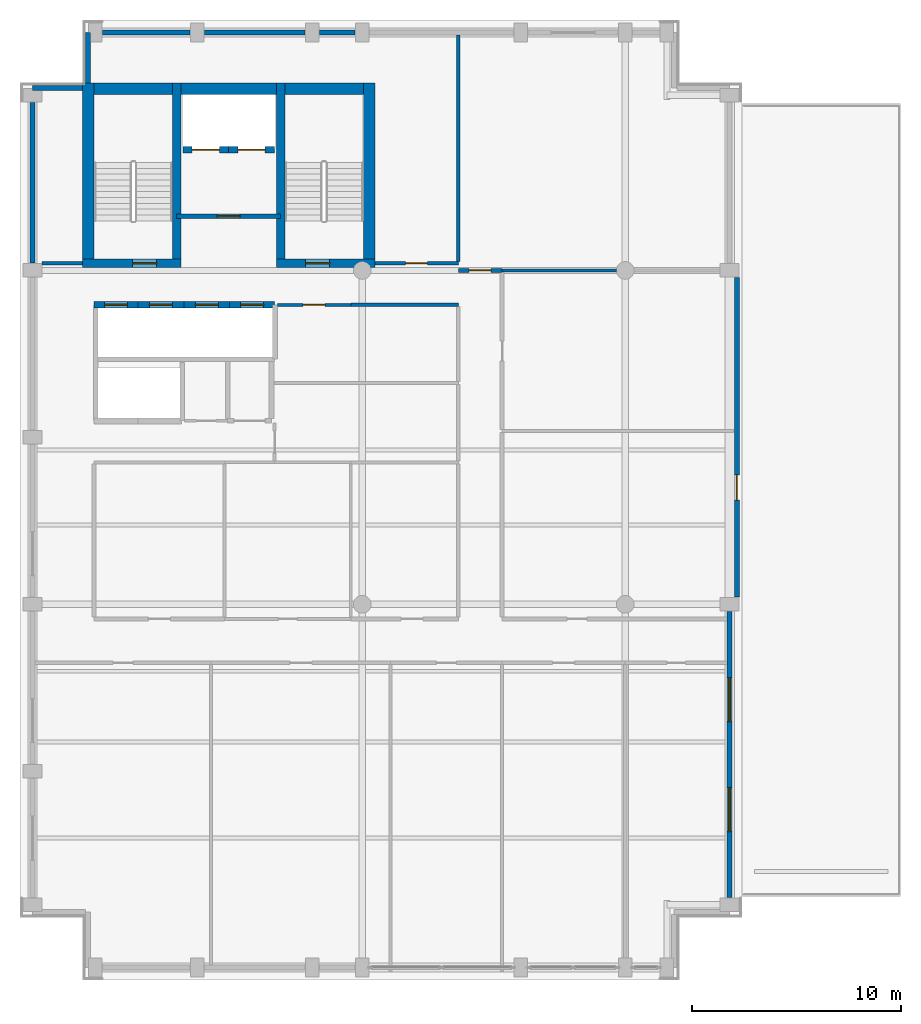
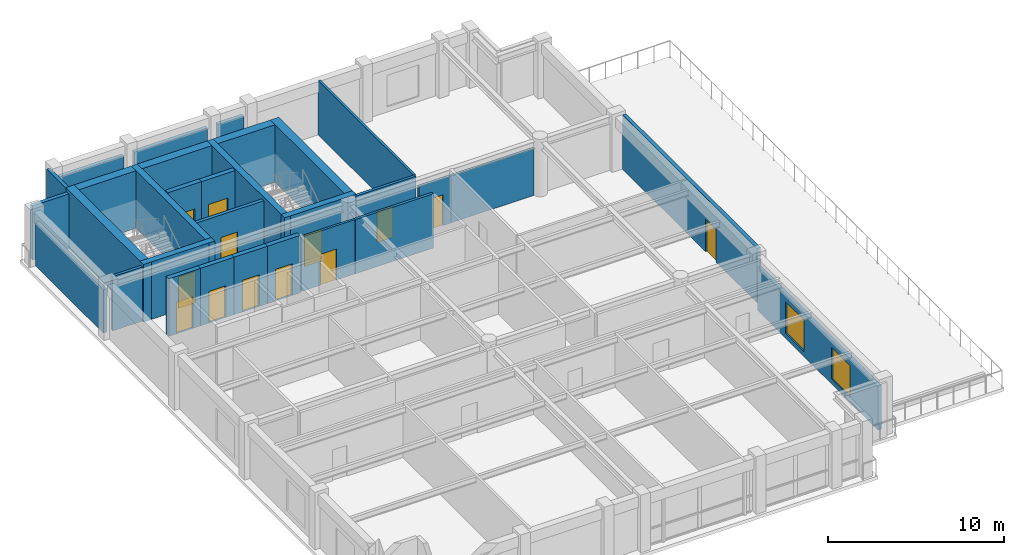
# One storey, part 5 of 9: 29 walls, 13 doors, 2 windows, 15 openings.
"""IFC4 building model written with IfcOpenShell, lengths in metres."""

from ifc_helpers import new_model, si_unit, direction, frame, frame_2d, origin, place, context, subcontext, project, spatial, rectangle, extrude, material, layer, layer_set, type_object, element, fill, save


model = new_model("IFC4")

# Units and contexts
model_context = context("Model", 3, precision=1e-05, world=origin(), true_north=direction((0.0, 1.0)))
body_context = subcontext(model_context, "Body", "Model", "MODEL_VIEW")
ifc_project = project(units=[si_unit("LENGTHUNIT", "METRE"), si_unit("AREAUNIT", "SQUARE_METRE"), si_unit("VOLUMEUNIT", "CUBIC_METRE"), si_unit("PLANEANGLEUNIT", "RADIAN"), si_unit("MASSUNIT", "GRAM", prefix="KILO")], contexts=[model_context])

# Site, building, storey
site_placement = place(None, origin())
site = spatial("IfcSite", under=ifc_project, at=site_placement, CompositionType="ELEMENT")
building_placement = place(site_placement, origin())
building = spatial("IfcBuilding", under=site, at=building_placement, Name="Sulina Concourse Tower", CompositionType="ELEMENT")
storey_placement = place(building_placement, frame((0.0, 0.0, 305.0)))
storey = spatial("IfcBuildingStorey", under=building, at=storey_placement, Name="L74", CompositionType="ELEMENT", Elevation=305.0)

# Wall, opening, door
ifc_material_1 = material(Name="Concrete C50/60", Category="concrete")
ifc_layer_1 = layer(ifc_material_1, 0.300048828125)
ifc_layer_set_1 = layer_set([ifc_layer_1], Name="Concrete C50/60")
wall_type_1 = type_object("IfcWallType", Name="Core Lift Hoistway Wall 300mm", PredefinedType="SOLIDWALL", material=ifc_layer_set_1)
wall_1_placement = place(storey_placement, frame((3.550048828125, 32.35009765625, 0.0), z_axis=(0.0, 0.0, 1.0), x_axis=(1.0, 0.0, 0.0)))
wall_1 = element("IfcWall", 1, at=wall_1_placement, inside=storey, type_object=wall_type_1, Name="L74 hoistway enclosure wall LP-09", PredefinedType="SOLIDWALL", context=body_context, shape_type="SweptSolid", body=[
    extrude(rectangle(XDim=2.099853515625, YDim=0.300048828125, at=frame_2d((1.0498046875, 0.0))), origin(), (0.0, 0.0, 1.0), 4.0),
])
opening_1_placement = place(wall_1_placement, frame((0.5, 0.0, 0.0)))
opening_1 = element("IfcOpeningElement", 2, at=opening_1_placement, cuts=wall_1, Name="Opening LD-01", PredefinedType="OPENING", context=body_context, shape_type="SweptSolid", body=[
    extrude(rectangle(XDim=1.10009765625, YDim=2.199951171875, at=frame_2d((0.550048828125, 1.10009765625))), frame((0.0, 0.159912109375, 0.0), z_axis=(0.0, -1.0, 0.0), x_axis=(1.0, 0.0, 0.0)), (0.0, 0.0, 1.0), 0.320068359375),
])
ifc_material_2 = material(Name="Stainless steel lift landing door", Category="steel")
ifc_layer_2 = layer(ifc_material_2, 0.050048828125)
ifc_layer_set_2 = layer_set([ifc_layer_2], Name="Stainless steel lift landing door")
door_type_1 = type_object("IfcDoorType", Name="Passenger Lift Sliding Landing Door 1100x2200", OperationType="SLIDING_TO_LEFT", PredefinedType="DOOR", material=ifc_layer_set_2)
door_1_placement = place(opening_1_placement, origin())
door_1 = element("IfcDoor", 3, at=door_1_placement, inside=storey, type_object=door_type_1, Name="L74 lift landing sliding door LP-09", OperationType="SLIDING_TO_LEFT", OverallHeight=2.199951171875, OverallWidth=1.10009765625, PredefinedType="DOOR", context=body_context, shape_type="SweptSolid", body=[
    extrude(rectangle(XDim=1.10009765625, YDim=2.199951171875, at=frame_2d((0.550048828125, 1.10009765625))), frame((0.0, 0.02490234375, 0.0), z_axis=(0.0, -1.0, 0.0), x_axis=(1.0, 0.0, 0.0)), (0.0, 0.0, 1.0), 0.050048828125),
])
fill(opening_1, door_1)

wall_2_placement = place(storey_placement, frame((5.64990234375, 32.35009765625, 0.0), z_axis=(0.0, 0.0, 1.0), x_axis=(1.0, 0.0, 0.0)))
wall_2 = element("IfcWall", 4, at=wall_2_placement, inside=storey, type_object=wall_type_1, Name="L74 hoistway enclosure wall LP-10", PredefinedType="SOLIDWALL", context=body_context, shape_type="SweptSolid", body=[
    extrude(rectangle(XDim=2.2001953125, YDim=0.300048828125, at=frame_2d((1.10009765625, 0.0))), origin(), (0.0, 0.0, 1.0), 4.0),
])
opening_2_placement = place(wall_2_placement, frame((0.550048828125, 0.0, 0.0)))
opening_2 = element("IfcOpeningElement", 5, at=opening_2_placement, cuts=wall_2, Name="Opening LD-01", PredefinedType="OPENING", context=body_context, shape_type="SweptSolid", body=[
    extrude(rectangle(XDim=1.10009765625, YDim=2.199951171875, at=frame_2d((0.550048828125, 1.10009765625))), frame((0.0, 0.159912109375, 0.0), z_axis=(0.0, -1.0, 0.0), x_axis=(1.0, 0.0, 0.0)), (0.0, 0.0, 1.0), 0.320068359375),
])
door_2_placement = place(opening_2_placement, origin())
door_2 = element("IfcDoor", 6, at=door_2_placement, inside=storey, type_object=door_type_1, Name="L74 lift landing sliding door LP-10", OperationType="SLIDING_TO_RIGHT", OverallHeight=2.199951171875, OverallWidth=1.10009765625, PredefinedType="DOOR", context=body_context, shape_type="SweptSolid", body=[
    extrude(rectangle(XDim=1.10009765625, YDim=2.199951171875, at=frame_2d((0.550048828125, 1.10009765625))), frame((0.0, 0.02490234375, 0.0), z_axis=(0.0, -1.0, 0.0), x_axis=(1.0, 0.0, 0.0)), (0.0, 0.0, 1.0), 0.050048828125),
])
fill(opening_2, door_2)

wall_3_placement = place(storey_placement, frame((7.85009765625, 32.35009765625, 0.0), z_axis=(0.0, 0.0, 1.0), x_axis=(1.0, 0.0, 0.0)))
wall_3 = element("IfcWall", 7, at=wall_3_placement, inside=storey, type_object=wall_type_1, Name="L74 hoistway enclosure wall LP-11", PredefinedType="SOLIDWALL", context=body_context, shape_type="SweptSolid", body=[
    extrude(rectangle(XDim=2.199951171875, YDim=0.300048828125, at=frame_2d((1.10009765625, 0.0))), origin(), (0.0, 0.0, 1.0), 4.0),
])
opening_3_placement = place(wall_3_placement, frame((0.550048828125, 0.0, 0.0)))
opening_3 = element("IfcOpeningElement", 8, at=opening_3_placement, cuts=wall_3, Name="Opening LD-01", PredefinedType="OPENING", context=body_context, shape_type="SweptSolid", body=[
    extrude(rectangle(XDim=1.10009765625, YDim=2.199951171875, at=frame_2d((0.550048828125, 1.10009765625))), frame((0.0, 0.159912109375, 0.0), z_axis=(0.0, -1.0, 0.0), x_axis=(1.0, 0.0, 0.0)), (0.0, 0.0, 1.0), 0.320068359375),
])
door_3_placement = place(opening_3_placement, origin())
door_3 = element("IfcDoor", 9, at=door_3_placement, inside=storey, type_object=door_type_1, Name="L74 lift landing sliding door LP-11", OperationType="SLIDING_TO_LEFT", OverallHeight=2.199951171875, OverallWidth=1.10009765625, PredefinedType="DOOR", context=body_context, shape_type="SweptSolid", body=[
    extrude(rectangle(XDim=1.10009765625, YDim=2.199951171875, at=frame_2d((0.550048828125, 1.10009765625))), frame((0.0, 0.02490234375, 0.0), z_axis=(0.0, -1.0, 0.0), x_axis=(1.0, 0.0, 0.0)), (0.0, 0.0, 1.0), 0.050048828125),
])
fill(opening_3, door_3)

wall_4_placement = place(storey_placement, frame((10.050048828125, 32.35009765625, 0.0), z_axis=(0.0, 0.0, 1.0), x_axis=(1.0, 0.0, 0.0)))
wall_4 = element("IfcWall", 10, at=wall_4_placement, inside=storey, type_object=wall_type_1, Name="L74 hoistway enclosure wall LP-12", PredefinedType="SOLIDWALL", context=body_context, shape_type="SweptSolid", body=[
    extrude(rectangle(XDim=2.14990234375, YDim=0.300048828125, at=frame_2d((1.074951171875, 0.0))), origin(), (0.0, 0.0, 1.0), 4.0),
])
opening_4_placement = place(wall_4_placement, frame((0.52490234375, 0.0, 0.0)))
opening_4 = element("IfcOpeningElement", 11, at=opening_4_placement, cuts=wall_4, Name="Opening LD-01", PredefinedType="OPENING", context=body_context, shape_type="SweptSolid", body=[
    extrude(rectangle(XDim=1.10009765625, YDim=2.199951171875, at=frame_2d((0.550048828125, 1.10009765625))), frame((0.0, 0.159912109375, 0.0), z_axis=(0.0, -1.0, 0.0), x_axis=(1.0, 0.0, 0.0)), (0.0, 0.0, 1.0), 0.320068359375),
])
door_4_placement = place(opening_4_placement, origin())
door_4 = element("IfcDoor", 12, at=door_4_placement, inside=storey, type_object=door_type_1, Name="L74 lift landing sliding door LP-12", OperationType="SLIDING_TO_RIGHT", OverallHeight=2.199951171875, OverallWidth=1.10009765625, PredefinedType="DOOR", context=body_context, shape_type="SweptSolid", body=[
    extrude(rectangle(XDim=1.10009765625, YDim=2.199951171875, at=frame_2d((0.550048828125, 1.10009765625))), frame((0.0, 0.02490234375, 0.0), z_axis=(0.0, -1.0, 0.0), x_axis=(1.0, 0.0, 0.0)), (0.0, 0.0, 1.0), 0.050048828125),
])
fill(opening_4, door_4)

wall_5_placement = place(storey_placement, frame((10.0, 39.780029296875, 0.0), z_axis=(0.0, 0.0, 1.0), x_axis=(-1.0, 0.0, 0.0)))
wall_5 = element("IfcWall", 13, at=wall_5_placement, inside=storey, type_object=wall_type_1, Name="L74 hoistway enclosure wall FFL-1", PredefinedType="SOLIDWALL", context=body_context, shape_type="SweptSolid", body=[
    extrude(rectangle(XDim=2.199951171875, YDim=0.300048828125, at=frame_2d((1.10009765625, 0.0))), origin(), (0.0, 0.0, 1.0), 4.0),
])
opening_5_placement = place(wall_5_placement, frame((0.449951171875, 0.0, 0.0)))
opening_5 = element("IfcOpeningElement", 14, at=opening_5_placement, cuts=wall_5, Name="Opening LD-02", PredefinedType="OPENING", context=body_context, shape_type="SweptSolid", body=[
    extrude(rectangle(XDim=1.300048828125, YDim=2.25, at=frame_2d((0.64990234375, 1.125))), frame((0.0, 0.159912109375, 0.0), z_axis=(0.0, -1.0, 0.0), x_axis=(1.0, 0.0, 0.0)), (0.0, 0.0, 1.0), 0.320068359375),
])
ifc_material_3 = material(Name="Stainless steel lift landing door", Category="steel")
ifc_layer_3 = layer(ifc_material_3, 0.050048828125)
ifc_layer_set_3 = layer_set([ifc_layer_3], Name="Stainless steel lift landing door")
door_type_2 = type_object("IfcDoorType", Name="Firefighting Lift Sliding Landing Door 1300x2250", OperationType="SLIDING_TO_RIGHT", PredefinedType="DOOR", material=ifc_layer_set_3)
door_5_placement = place(opening_5_placement, origin())
door_5 = element("IfcDoor", 15, at=door_5_placement, inside=storey, type_object=door_type_2, Name="L74 lift landing sliding door FFL-1", OperationType="SLIDING_TO_LEFT", OverallHeight=2.25, OverallWidth=1.300048828125, PredefinedType="DOOR", context=body_context, shape_type="SweptSolid", body=[
    extrude(rectangle(XDim=1.300048828125, YDim=2.25, at=frame_2d((0.64990234375, 1.125))), frame((0.0, 0.02490234375, 0.0), z_axis=(0.0, -1.0, 0.0), x_axis=(1.0, 0.0, 0.0)), (0.0, 0.0, 1.0), 0.050048828125),
])
fill(opening_5, door_5)

wall_6_placement = place(storey_placement, frame((12.199951171875, 39.780029296875, 0.0), z_axis=(0.0, 0.0, 1.0), x_axis=(-1.0, 0.0, 0.0)))
wall_6 = element("IfcWall", 16, at=wall_6_placement, inside=storey, type_object=wall_type_1, Name="L74 hoistway enclosure wall FFL-2", PredefinedType="SOLIDWALL", context=body_context, shape_type="SweptSolid", body=[
    extrude(rectangle(XDim=2.199951171875, YDim=0.300048828125, at=frame_2d((1.10009765625, 0.0))), origin(), (0.0, 0.0, 1.0), 4.0),
])
opening_6_placement = place(wall_6_placement, frame((0.449951171875, 0.0, 0.0)))
opening_6 = element("IfcOpeningElement", 17, at=opening_6_placement, cuts=wall_6, Name="Opening LD-02", PredefinedType="OPENING", context=body_context, shape_type="SweptSolid", body=[
    extrude(rectangle(XDim=1.300048828125, YDim=2.25, at=frame_2d((0.64990234375, 1.125))), frame((0.0, 0.159912109375, 0.0), z_axis=(0.0, -1.0, 0.0), x_axis=(1.0, 0.0, 0.0)), (0.0, 0.0, 1.0), 0.320068359375),
])
door_6_placement = place(opening_6_placement, origin())
door_6 = element("IfcDoor", 18, at=door_6_placement, inside=storey, type_object=door_type_2, Name="L74 lift landing sliding door FFL-2", OperationType="SLIDING_TO_RIGHT", OverallHeight=2.25, OverallWidth=1.300048828125, PredefinedType="DOOR", context=body_context, shape_type="SweptSolid", body=[
    extrude(rectangle(XDim=1.300048828125, YDim=2.25, at=frame_2d((0.64990234375, 1.125))), frame((0.0, 0.02490234375, 0.0), z_axis=(0.0, -1.0, 0.0), x_axis=(1.0, 0.0, 0.0)), (0.0, 0.0, 1.0), 0.050048828125),
])
fill(opening_6, door_6)

# Walls
ifc_material_4 = material(Name="Precast concrete C50/60", Category="concrete")
ifc_layer_4 = layer(ifc_material_4, 0.239990234375)
ifc_layer_set_4 = layer_set([ifc_layer_4], Name="Precast concrete C50/60")
wall_type_2 = type_object("IfcWallType", Name="Crown Precast Masonry-Frame Facade Wall 240mm", PredefinedType="SOLIDWALL", material=ifc_layer_set_4)
wall_7_placement = place(storey_placement, frame((0.60009765625, 34.344970703125, 0.0), z_axis=(0.0, 0.0, 1.0), x_axis=(0.0, 1.0, 0.0)))
element("IfcWall", 19, at=wall_7_placement, inside=storey, type_object=wall_type_2, Name="L74 exterior precast wall W5", PredefinedType="SOLIDWALL", context=body_context, shape_type="SweptSolid", body=[
    extrude(rectangle(XDim=7.7099609375, YDim=0.239990234375, at=frame_2d((3.85498046875, 0.0))), origin(), (0.0, 0.0, 1.0), 3.02490234375),
])
wall_8_placement = place(storey_placement, frame((3.945068359375, 45.39990234375, 0.0), z_axis=(0.0, 0.0, 1.0), x_axis=(1.0, 0.0, 0.0)))
element("IfcWall", 20, at=wall_8_placement, inside=storey, type_object=wall_type_2, Name="L74 exterior precast wall N1", PredefinedType="SOLIDWALL", context=body_context, shape_type="SweptSolid", body=[
    extrude(rectangle(XDim=4.2099609375, YDim=0.239990234375, at=frame_2d((2.10498046875, 0.0))), origin(), (0.0, 0.0, 1.0), 3.02490234375),
])
wall_9_placement = place(storey_placement, frame((8.844970703125, 45.39990234375, 0.0), z_axis=(0.0, 0.0, 1.0), x_axis=(1.0, 0.0, 0.0)))
element("IfcWall", 21, at=wall_9_placement, inside=storey, type_object=wall_type_2, Name="L74 exterior precast wall N2", PredefinedType="SOLIDWALL", context=body_context, shape_type="SweptSolid", body=[
    extrude(rectangle(XDim=4.81005859375, YDim=0.239990234375, at=frame_2d((2.405029296875, 0.0))), origin(), (0.0, 0.0, 1.0), 3.02490234375),
])
wall_10_placement = place(storey_placement, frame((14.344970703125, 45.39990234375, 0.0), z_axis=(0.0, 0.0, 1.0), x_axis=(1.0, 0.0, 0.0)))
element("IfcWall", 22, at=wall_10_placement, inside=storey, type_object=wall_type_2, Name="L74 exterior precast wall N3", PredefinedType="SOLIDWALL", context=body_context, shape_type="SweptSolid", body=[
    extrude(rectangle(XDim=1.7099609375, YDim=0.239990234375, at=frame_2d((0.85498046875, 0.0))), origin(), (0.0, 0.0, 1.0), 3.02490234375),
])

# Wall, openings, windows
wall_11_placement = place(storey_placement, frame((34.0, 17.655029296875, 0.0), z_axis=(0.0, 0.0, 1.0), x_axis=(0.0, -1.0, 0.0)))
wall_11 = element("IfcWall", 23, at=wall_11_placement, inside=storey, type_object=wall_type_2, Name="L74 exterior precast wall E1", PredefinedType="SOLIDWALL", context=body_context, shape_type="SweptSolid", body=[
    extrude(rectangle(XDim=13.7099609375, YDim=0.239990234375, at=frame_2d((6.85498046875, 0.0))), origin(), (0.0, 0.0, 1.0), 3.02490234375),
])
opening_7_placement = place(wall_11_placement, frame((3.169921875, 0.0, 0.35009765625)))
opening_7 = element("IfcOpeningElement", 24, at=opening_7_placement, cuts=wall_11, Name="Opening WN-33", PredefinedType="OPENING", context=body_context, shape_type="SweptSolid", body=[
    extrude(rectangle(XDim=2.10009765625, YDim=2.199951171875, at=frame_2d((1.050048828125, 1.10009765625))), frame((0.0, 0.1298828125, 0.0), z_axis=(0.0, -1.0, 0.0), x_axis=(1.0, 0.0, 0.0)), (0.0, 0.0, 1.0), 0.260009765625),
])
opening_8_placement = place(wall_11_placement, frame((8.43994140625, 0.0, 0.35009765625)))
opening_8 = element("IfcOpeningElement", 25, at=opening_8_placement, cuts=wall_11, Name="Opening WN-33", PredefinedType="OPENING", context=body_context, shape_type="SweptSolid", body=[
    extrude(rectangle(XDim=2.10009765625, YDim=2.199951171875, at=frame_2d((1.050048828125, 1.10009765625))), frame((0.0, 0.1298828125, 0.0), z_axis=(0.0, -1.0, 0.0), x_axis=(1.0, 0.0, 0.0)), (0.0, 0.0, 1.0), 0.260009765625),
])
ifc_material_5 = material(Name="Low-E solar double glazing in bronze aluminium", Category="aluminium")
window_type = type_object("IfcWindowType", Name="Punched Masonry-Frame Window 2100x2200", PartitioningType="DOUBLE_PANEL_VERTICAL", PredefinedType="WINDOW", material=ifc_material_5)
window_1_placement = place(opening_7_placement, origin())
window_1 = element("IfcWindow", 26, at=window_1_placement, inside=storey, type_object=window_type, Name="L74 punched window E1-1", OverallHeight=2.199951171875, OverallWidth=2.10009765625, PartitioningType="SINGLE_PANEL", PredefinedType="WINDOW", context=body_context, shape_type="SweptSolid", body=[
    extrude(rectangle(XDim=2.10009765625, YDim=2.199951171875, at=frame_2d((1.050048828125, 1.10009765625))), frame((0.0, 0.030029296875, 0.0), z_axis=(0.0, -1.0, 0.0), x_axis=(1.0, 0.0, 0.0)), (0.0, 0.0, 1.0), 0.06005859375),
])
fill(opening_7, window_1)
window_2_placement = place(opening_8_placement, origin())
window_2 = element("IfcWindow", 27, at=window_2_placement, inside=storey, type_object=window_type, Name="L74 punched window E1-2", OverallHeight=2.199951171875, OverallWidth=2.10009765625, PartitioningType="SINGLE_PANEL", PredefinedType="WINDOW", context=body_context, shape_type="SweptSolid", body=[
    extrude(rectangle(XDim=2.10009765625, YDim=2.199951171875, at=frame_2d((1.050048828125, 1.10009765625))), frame((0.0, 0.030029296875, 0.0), z_axis=(0.0, -1.0, 0.0), x_axis=(1.0, 0.0, 0.0)), (0.0, 0.0, 1.0), 0.06005859375),
])
fill(opening_8, window_2)

# Wall, opening, door
wall_12_placement = place(storey_placement, frame((34.35009765625, 33.655029296875, 0.0), z_axis=(0.0, 0.0, 1.0), x_axis=(0.0, -1.0, 0.0)))
wall_12 = element("IfcWall", 28, at=wall_12_placement, inside=storey, type_object=wall_type_2, Name="L74 exterior precast wall E2", PredefinedType="SOLIDWALL", context=body_context, shape_type="SweptSolid", body=[
    extrude(rectangle(XDim=15.31005859375, YDim=0.239990234375, at=frame_2d((7.655029296875, 0.0))), origin(), (0.0, 0.0, 1.0), 3.77490234375),
])
opening_9_placement = place(wall_12_placement, frame((9.455078125, 0.0, 0.0)))
opening_9 = element("IfcOpeningElement", 29, at=opening_9_placement, cuts=wall_12, Name="Opening DR-22", PredefinedType="OPENING", context=body_context, shape_type="SweptSolid", body=[
    extrude(rectangle(XDim=1.199951171875, YDim=2.25, at=frame_2d((0.60009765625, 1.125))), frame((0.0, 0.1298828125, 0.0), z_axis=(0.0, -1.0, 0.0), x_axis=(1.0, 0.0, 0.0)), (0.0, 0.0, 1.0), 0.260009765625),
])
ifc_material_6 = material(Name="Anodised bronze aluminium and glazed leaf", Category="aluminium")
ifc_layer_5 = layer(ifc_material_6, 0.054931640625)
ifc_layer_set_5 = layer_set([ifc_layer_5], Name="Anodised bronze aluminium and glazed leaf")
door_type_3 = type_object("IfcDoorType", Name="Planted Terrace & Sky-Deck Door 1200x2250", OperationType="NOTDEFINED", PredefinedType="DOOR", material=ifc_layer_set_5)
door_7_placement = place(opening_9_placement, origin())
door_7 = element("IfcDoor", 30, at=door_7_placement, inside=storey, type_object=door_type_3, Name="L74 exterior door TD-CR", OperationType="SINGLE_SWING_LEFT", OverallHeight=2.25, OverallWidth=1.199951171875, PredefinedType="DOOR", context=body_context, shape_type="SweptSolid", body=[
    extrude(rectangle(XDim=1.199951171875, YDim=2.25, at=frame_2d((0.60009765625, 1.125))), frame((0.0, 0.02490234375, 0.0), z_axis=(0.0, -1.0, 0.0), x_axis=(1.0, 0.0, 0.0)), (0.0, 0.0, 1.0), 0.050048828125),
])
fill(opening_9, door_7)

# Walls
wall_13_placement = place(storey_placement, frame((0.60009765625, 42.7451171875, 0.0), z_axis=(0.0, 0.0, 1.0), x_axis=(1.0, 0.0, 0.0)))
element("IfcWall", 31, at=wall_13_placement, inside=storey, type_object=wall_type_2, Name="L74 exterior precast wall CNW1", PredefinedType="SOLIDWALL", context=body_context, shape_type="SweptSolid", body=[
    extrude(rectangle(XDim=2.39501953125, YDim=0.239990234375, at=frame_2d((1.197509765625, 0.0))), origin(), (0.0, 0.0, 1.0), 3.77490234375),
])
wall_14_placement = place(storey_placement, frame((3.2548828125, 42.985107421875, 0.0), z_axis=(0.0, 0.0, 1.0), x_axis=(0.0, 1.0, 0.0)))
element("IfcWall", 32, at=wall_14_placement, inside=storey, type_object=wall_type_2, Name="L74 exterior precast wall CNW2", PredefinedType="SOLIDWALL", context=body_context, shape_type="SweptSolid", body=[
    extrude(rectangle(XDim=2.414794921875, YDim=0.239990234375, at=frame_2d((1.20751953125, 0.0))), origin(), (0.0, 0.0, 1.0), 3.77490234375),
])

# Wall, opening, door
ifc_material_7 = material(Name="Gypsum board on steel stud", Category="steel")
ifc_layer_6 = layer(ifc_material_7, 0.219970703125)
ifc_layer_set_6 = layer_set([ifc_layer_6], Name="Gypsum board on steel stud")
wall_type_3 = type_object("IfcWallType", Name="Fire-Rated Lobby & Compartment Wall 220mm", PredefinedType="PARTITIONING", material=ifc_layer_set_6)
wall_15_placement = place(storey_placement, frame((7.510009765625, 36.60009765625, 0.0), z_axis=(0.0, 0.0, 1.0), x_axis=(1.0, 0.0, 0.0)))
wall_15 = element("IfcWall", 33, at=wall_15_placement, inside=storey, type_object=wall_type_3, Name="L74 firefighting lobby south fire wall", PredefinedType="PARTITIONING", context=body_context, shape_type="SweptSolid", body=[
    extrude(rectangle(XDim=4.97998046875, YDim=0.219970703125, at=frame_2d((2.489990234375, 0.0))), origin(), (0.0, 0.0, 1.0), 3.77490234375),
])
opening_10_placement = place(wall_15_placement, frame((1.93994140625, 0.0, 0.0)))
opening_10 = element("IfcOpeningElement", 34, at=opening_10_placement, cuts=wall_15, Name="Opening DR-47", PredefinedType="OPENING", context=body_context, shape_type="SweptSolid", body=[
    extrude(rectangle(XDim=1.10009765625, YDim=2.199951171875, at=frame_2d((0.550048828125, 1.10009765625))), frame((0.0, 0.119873046875, 0.0), z_axis=(0.0, -1.0, 0.0), x_axis=(1.0, 0.0, 0.0)), (0.0, 0.0, 1.0), 0.239990234375),
])
ifc_material_8 = material(Name="Galvanised steel acoustic fire leaf", Category="steel")
ifc_layer_7 = layer(ifc_material_8, 0.054931640625)
ifc_layer_set_7 = layer_set([ifc_layer_7], Name="Galvanised steel acoustic fire leaf")
door_type_4 = type_object("IfcDoorType", Name="Firefighting Lobby Fire Door 1100x2200", OperationType="NOTDEFINED", PredefinedType="DOOR", material=ifc_layer_set_7)
door_8_placement = place(opening_10_placement, origin())
door_8 = element("IfcDoor", 35, at=door_8_placement, inside=storey, type_object=door_type_4, Name="L74 firefighting lobby fire door", OperationType="SINGLE_SWING_LEFT", OverallHeight=2.199951171875, OverallWidth=1.10009765625, PredefinedType="DOOR", context=body_context, shape_type="SweptSolid", body=[
    extrude(rectangle(XDim=1.10009765625, YDim=2.199951171875, at=frame_2d((0.550048828125, 1.10009765625))), frame((0.0, 0.02490234375, 0.0), z_axis=(0.0, -1.0, 0.0), x_axis=(1.0, 0.0, 0.0)), (0.0, 0.0, 1.0), 0.050048828125),
])
fill(opening_10, door_8)

ifc_material_9 = material(Name="Gypsum board on steel stud", Category="steel")
ifc_layer_8 = layer(ifc_material_9, 0.14990234375)
ifc_layer_set_8 = layer_set([ifc_layer_8], Name="Gypsum board on steel stud")
wall_type_4 = type_object("IfcWallType", Name="Inter-Tenancy Acoustic Partition 150mm", PredefinedType="PARTITIONING", material=ifc_layer_set_8)
wall_16_placement = place(storey_placement, frame((12.330078125, 32.35009765625, 0.0), z_axis=(0.0, 0.0, 1.0), x_axis=(1.0, 0.0, 0.0)))
wall_16 = element("IfcWall", 36, at=wall_16_placement, inside=storey, type_object=wall_type_4, Name="L74 interior partition 018", PredefinedType="PARTITIONING", context=body_context, shape_type="SweptSolid", body=[
    extrude(rectangle(XDim=3.52001953125, YDim=0.14990234375, at=frame_2d((1.760009765625, 0.0))), origin(), (0.0, 0.0, 1.0), 3.77490234375),
])
opening_11_placement = place(wall_16_placement, frame((1.235107421875, 0.0, 0.0)))
opening_11 = element("IfcOpeningElement", 37, at=opening_11_placement, cuts=wall_16, Name="Opening DR-37", PredefinedType="OPENING", context=body_context, shape_type="SweptSolid", body=[
    extrude(rectangle(XDim=1.050048828125, YDim=2.14990234375, at=frame_2d((0.52490234375, 1.074951171875))), frame((0.0, 0.0849609375, 0.0), z_axis=(0.0, -1.0, 0.0), x_axis=(1.0, 0.0, 0.0)), (0.0, 0.0, 1.0), 0.169921875),
])
ifc_material_10 = material(Name="Oak-veneered fire door leaf")
ifc_layer_9 = layer(ifc_material_10, 0.050048828125)
ifc_layer_set_9 = layer_set([ifc_layer_9], Name="Oak-veneered fire door leaf")
door_type_5 = type_object("IfcDoorType", Name="Tenant Suite Entrance Fire Door 1050x2150", OperationType="NOTDEFINED", PredefinedType="DOOR", material=ifc_layer_set_9)
door_9_placement = place(opening_11_placement, origin())
door_9 = element("IfcDoor", 38, at=door_9_placement, inside=storey, type_object=door_type_5, Name="L74 interior door L74-MR-MRG2", OperationType="SINGLE_SWING_RIGHT", OverallHeight=2.14990234375, OverallWidth=1.050048828125, PredefinedType="DOOR", context=body_context, shape_type="SweptSolid", body=[
    extrude(rectangle(XDim=1.050048828125, YDim=2.14990234375, at=frame_2d((0.52490234375, 1.074951171875))), frame((0.0, 0.02490234375, 0.0), z_axis=(0.0, -1.0, 0.0), x_axis=(1.0, 0.0, 0.0)), (0.0, 0.0, 1.0), 0.050048828125),
])
fill(opening_11, door_9)

# Walls
wall_17_placement = place(storey_placement, frame((23.10009765625, 34.0, 0.0), z_axis=(0.0, 0.0, 1.0), x_axis=(1.0, 0.0, 0.0)))
element("IfcWall", 39, at=wall_17_placement, inside=storey, type_object=wall_type_4, Name="L74 interior partition 021", PredefinedType="PARTITIONING", context=body_context, shape_type="SweptSolid", body=[
    extrude(rectangle(XDim=5.474853515625, YDim=0.14990234375, at=frame_2d((2.7373046875, 0.0))), origin(), (0.0, 0.0, 1.0), 3.27001953125),
])
wall_18_placement = place(storey_placement, frame((21.0, 34.43994140625, 0.0), z_axis=(0.0, 0.0, 1.0), x_axis=(0.0, 1.0, 0.0)))
element("IfcWall", 40, at=wall_18_placement, inside=storey, type_object=wall_type_4, Name="L74 interior partition 036", PredefinedType="PARTITIONING", context=body_context, shape_type="SweptSolid", body=[
    extrude(rectangle(XDim=10.840087890625, YDim=0.14990234375, at=frame_2d((5.419921875, 0.0))), origin(), (0.0, 0.0, 1.0), 3.77490234375),
])
ifc_material_11 = material(Name="Gypsum board on steel stud", Category="steel")
ifc_layer_10 = layer(ifc_material_11, 0.179931640625)
ifc_layer_set_10 = layer_set([ifc_layer_10], Name="Gypsum board on steel stud")
wall_type_5 = type_object("IfcWallType", Name="Protected Corridor & Riser Partition 180mm", PredefinedType="PARTITIONING", material=ifc_layer_set_10)
wall_19_placement = place(storey_placement, frame((15.85009765625, 32.35009765625, 0.0), z_axis=(0.0, 0.0, 1.0), x_axis=(1.0, 0.0, 0.0)))
element("IfcWall", 41, at=wall_19_placement, inside=storey, type_object=wall_type_5, Name="L74 interior partition 019", PredefinedType="PARTITIONING", context=body_context, shape_type="SweptSolid", body=[
    extrude(rectangle(XDim=5.14990234375, YDim=0.179931640625, at=frame_2d((2.574951171875, 0.0))), origin(), (0.0, 0.0, 1.0), 3.77490234375),
])

# Wall, opening, door
wall_20_placement = place(storey_placement, frame((21.0, 34.0, 0.0), z_axis=(0.0, 0.0, 1.0), x_axis=(1.0, 0.0, 0.0)))
wall_20 = element("IfcWall", 42, at=wall_20_placement, inside=storey, type_object=wall_type_5, Name="L74 interior partition 020", PredefinedType="PARTITIONING", context=body_context, shape_type="SweptSolid", body=[
    extrude(rectangle(XDim=2.10009765625, YDim=0.179931640625, at=frame_2d((1.050048828125, 0.0))), origin(), (0.0, 0.0, 1.0), 3.27001953125),
])
opening_12_placement = place(wall_20_placement, frame((0.52490234375, 0.0, 0.0)))
opening_12 = element("IfcOpeningElement", 43, at=opening_12_placement, cuts=wall_20, Name="Opening DR-37", PredefinedType="OPENING", context=body_context, shape_type="SweptSolid", body=[
    extrude(rectangle(XDim=1.050048828125, YDim=2.14990234375, at=frame_2d((0.52490234375, 1.074951171875))), frame((0.0, 0.099853515625, 0.0), z_axis=(0.0, -1.0, 0.0), x_axis=(1.0, 0.0, 0.0)), (0.0, 0.0, 1.0), 0.199951171875),
])
door_10_placement = place(opening_12_placement, origin())
door_10 = element("IfcDoor", 44, at=door_10_placement, inside=storey, type_object=door_type_5, Name="L74 interior door L74-CR-N2", OperationType="SINGLE_SWING_LEFT", OverallHeight=2.14990234375, OverallWidth=1.050048828125, PredefinedType="DOOR", context=body_context, shape_type="SweptSolid", body=[
    extrude(rectangle(XDim=1.050048828125, YDim=2.14990234375, at=frame_2d((0.52490234375, 1.074951171875))), frame((0.0, 0.02490234375, 0.0), z_axis=(0.0, -1.0, 0.0), x_axis=(1.0, 0.0, 0.0)), (0.0, 0.0, 1.0), 0.050048828125),
])
fill(opening_12, door_10)

# Wall
wall_21_placement = place(storey_placement, frame((1.050048828125, 34.35009765625, 0.0), z_axis=(0.0, 0.0, 1.0), x_axis=(1.0, 0.0, 0.0)))
element("IfcWall", 45, at=wall_21_placement, inside=storey, type_object=wall_type_5, Name="L74 interior partition 023", PredefinedType="PARTITIONING", context=body_context, shape_type="SweptSolid", body=[
    extrude(rectangle(XDim=1.949951171875, YDim=0.179931640625, at=frame_2d((0.97509765625, 0.0))), origin(), (0.0, 0.0, 1.0), 3.77490234375),
])

# Wall, opening, door
wall_22_placement = place(storey_placement, frame((17.0, 34.35009765625, 0.0), z_axis=(0.0, 0.0, 1.0), x_axis=(1.0, 0.0, 0.0)))
wall_22 = element("IfcWall", 46, at=wall_22_placement, inside=storey, type_object=wall_type_5, Name="L74 interior partition 024", PredefinedType="PARTITIONING", context=body_context, shape_type="SweptSolid", body=[
    extrude(rectangle(XDim=4.0, YDim=0.179931640625, at=frame_2d((2.0, 0.0))), origin(), (0.0, 0.0, 1.0), 3.77490234375),
])
opening_13_placement = place(wall_22_placement, frame((1.47509765625, 0.0, 0.0)))
opening_13 = element("IfcOpeningElement", 47, at=opening_13_placement, cuts=wall_22, Name="Opening DR-37", PredefinedType="OPENING", context=body_context, shape_type="SweptSolid", body=[
    extrude(rectangle(XDim=1.050048828125, YDim=2.14990234375, at=frame_2d((0.52490234375, 1.074951171875))), frame((0.0, 0.099853515625, 0.0), z_axis=(0.0, -1.0, 0.0), x_axis=(1.0, 0.0, 0.0)), (0.0, 0.0, 1.0), 0.199951171875),
])
door_11_placement = place(opening_13_placement, origin())
door_11 = element("IfcDoor", 48, at=door_11_placement, inside=storey, type_object=door_type_5, Name="L74 interior door L74-CR-N1", OperationType="SINGLE_SWING_RIGHT", OverallHeight=2.14990234375, OverallWidth=1.050048828125, PredefinedType="DOOR", context=body_context, shape_type="SweptSolid", body=[
    extrude(rectangle(XDim=1.050048828125, YDim=2.14990234375, at=frame_2d((0.52490234375, 1.074951171875))), frame((0.0, 0.02490234375, 0.0), z_axis=(0.0, -1.0, 0.0), x_axis=(1.0, 0.0, 0.0)), (0.0, 0.0, 1.0), 0.050048828125),
])
fill(opening_13, door_11)

ifc_material_12 = material(Name="Concrete C60/75", Category="concrete")
ifc_layer_11 = layer(ifc_material_12, 0.39990234375)
ifc_layer_set_11 = layer_set([ifc_layer_11], Name="Concrete C60/75")
wall_type_6 = type_object("IfcWallType", Name="Protected Stair Core Shear Wall 400mm", PredefinedType="SHEAR", material=ifc_layer_set_11)
wall_23_placement = place(storey_placement, frame((3.0, 34.35009765625, 0.0), z_axis=(0.0, 0.0, 1.0), x_axis=(1.0, 0.0, 0.0)))
wall_23 = element("IfcWall", 49, at=wall_23_placement, inside=storey, type_object=wall_type_6, Name="L74 west core shear wall CW-WS1", PredefinedType="SHEAR", context=body_context, shape_type="SweptSolid", body=[
    extrude(rectangle(XDim=4.7099609375, YDim=0.39990234375, at=frame_2d((2.35498046875, 0.0))), origin(), (0.0, 0.0, 1.0), 4.0),
])
opening_14_placement = place(wall_23_placement, frame((2.39990234375, 0.0, 0.0)))
opening_14 = element("IfcOpeningElement", 50, at=opening_14_placement, cuts=wall_23, Name="Opening DR-60", PredefinedType="OPENING", context=body_context, shape_type="SweptSolid", body=[
    extrude(rectangle(XDim=1.14990234375, YDim=2.199951171875, at=frame_2d((0.574951171875, 1.10009765625))), frame((0.0, 0.2099609375, 0.0), z_axis=(0.0, -1.0, 0.0), x_axis=(1.0, 0.0, 0.0)), (0.0, 0.0, 1.0), 0.419921875),
])
ifc_material_13 = material(Name="Galvanised steel acoustic fire leaf", Category="steel")
ifc_layer_12 = layer(ifc_material_13, 0.054931640625)
ifc_layer_set_12 = layer_set([ifc_layer_12], Name="Galvanised steel acoustic fire leaf")
door_type_6 = type_object("IfcDoorType", Name="Protected Exit Stair Fire Door 1150x2200", OperationType="NOTDEFINED", PredefinedType="DOOR", material=ifc_layer_set_12)
door_12_placement = place(opening_14_placement, origin())
door_12 = element("IfcDoor", 51, at=door_12_placement, inside=storey, type_object=door_type_6, Name="L74 stair ST-1 lobby fire door", OperationType="SINGLE_SWING_LEFT", OverallHeight=2.199951171875, OverallWidth=1.14990234375, PredefinedType="DOOR", context=body_context, shape_type="SweptSolid", body=[
    extrude(rectangle(XDim=1.14990234375, YDim=2.199951171875, at=frame_2d((0.574951171875, 1.10009765625))), frame((0.0, 0.02490234375, 0.0), z_axis=(0.0, -1.0, 0.0), x_axis=(1.0, 0.0, 0.0)), (0.0, 0.0, 1.0), 0.050048828125),
])
fill(opening_14, door_12)

wall_24_placement = place(storey_placement, frame((12.2900390625, 34.35009765625, 0.0), z_axis=(0.0, 0.0, 1.0), x_axis=(1.0, 0.0, 0.0)))
wall_24 = element("IfcWall", 52, at=wall_24_placement, inside=storey, type_object=wall_type_6, Name="L74 west core shear wall CW-WS2", PredefinedType="SHEAR", context=body_context, shape_type="SweptSolid", body=[
    extrude(rectangle(XDim=4.7099609375, YDim=0.39990234375, at=frame_2d((2.35498046875, 0.0))), origin(), (0.0, 0.0, 1.0), 4.0),
])
opening_15_placement = place(wall_24_placement, frame((1.39990234375, 0.0, 0.0)))
opening_15 = element("IfcOpeningElement", 53, at=opening_15_placement, cuts=wall_24, Name="Opening DR-60", PredefinedType="OPENING", context=body_context, shape_type="SweptSolid", body=[
    extrude(rectangle(XDim=1.14990234375, YDim=2.199951171875, at=frame_2d((0.574951171875, 1.10009765625))), frame((0.0, 0.2099609375, 0.0), z_axis=(0.0, -1.0, 0.0), x_axis=(1.0, 0.0, 0.0)), (0.0, 0.0, 1.0), 0.419921875),
])
door_13_placement = place(opening_15_placement, origin())
door_13 = element("IfcDoor", 54, at=door_13_placement, inside=storey, type_object=door_type_6, Name="L74 stair ST-2 lobby fire door", OperationType="SINGLE_SWING_RIGHT", OverallHeight=2.199951171875, OverallWidth=1.14990234375, PredefinedType="DOOR", context=body_context, shape_type="SweptSolid", body=[
    extrude(rectangle(XDim=1.14990234375, YDim=2.199951171875, at=frame_2d((0.574951171875, 1.10009765625))), frame((0.0, 0.02490234375, 0.0), z_axis=(0.0, -1.0, 0.0), x_axis=(1.0, 0.0, 0.0)), (0.0, 0.0, 1.0), 0.050048828125),
])
fill(opening_15, door_13)

# Walls
for number, where, z_axis, x_axis, name in (
    (55, (7.510009765625, 34.14990234375, 0.0), (0.0, 0.0, 1.0), (0.0, 1.0, 0.0), "L74 west core shear wall SW-ST1"),
    (56, (12.489990234375, 34.14990234375, 0.0), (0.0, 0.0, 1.0), (0.0, 1.0, 0.0), "L74 west core shear wall SW-ST2"),
):
    element("IfcWall", number, at=place(storey_placement, frame(where, z_axis=z_axis, x_axis=x_axis)), inside=storey, type_object=wall_type_6, Name=name, PredefinedType="SHEAR", context=body_context, shape_type="SweptSolid", body=[
        extrude(rectangle(XDim=8.830078125, YDim=0.39990234375, at=frame_2d((4.4150390625, 0.0))), origin(), (0.0, 0.0, 1.0), 4.0),
    ])
ifc_material_14 = material(Name="Concrete C50/60", Category="concrete")
ifc_layer_13 = layer(ifc_material_14, 0.550048828125)
ifc_layer_set_13 = layer_set([ifc_layer_13], Name="Concrete C50/60")
wall_type_7 = type_object("IfcWallType", Name="Upper Core Shear Wall 550mm", PredefinedType="SHEAR", material=ifc_layer_set_13)
wall_25_placement = place(storey_placement, frame((3.0, 42.705078125, 0.0), z_axis=(0.0, 0.0, 1.0), x_axis=(1.0, 0.0, 0.0)))
element("IfcWall", 57, at=wall_25_placement, inside=storey, type_object=wall_type_7, Name="L74 west core shear wall CW-WN", PredefinedType="SHEAR", context=body_context, shape_type="SweptSolid", body=[
    extrude(rectangle(XDim=14.0, YDim=0.550048828125, at=frame_2d((7.0, 0.0))), origin(), (0.0, 0.0, 1.0), 4.0),
])
for number, where, z_axis, x_axis, name in (
    (58, (3.27490234375, 34.14990234375, 0.0), (0.0, 0.0, 1.0), (0.0, 1.0, 0.0), "L74 west core shear wall CW-WW"),
    (59, (16.72509765625, 34.14990234375, 0.0), (0.0, 0.0, 1.0), (0.0, 1.0, 0.0), "L74 west core shear wall CW-WE"),
):
    element("IfcWall", number, at=place(storey_placement, frame(where, z_axis=z_axis, x_axis=x_axis)), inside=storey, type_object=wall_type_7, Name=name, PredefinedType="SHEAR", context=body_context, shape_type="SweptSolid", body=[
        extrude(rectangle(XDim=8.830078125, YDim=0.550048828125, at=frame_2d((4.4150390625, 0.0))), origin(), (0.0, 0.0, 1.0), 4.0),
    ])

save(model, "model.ifc")
